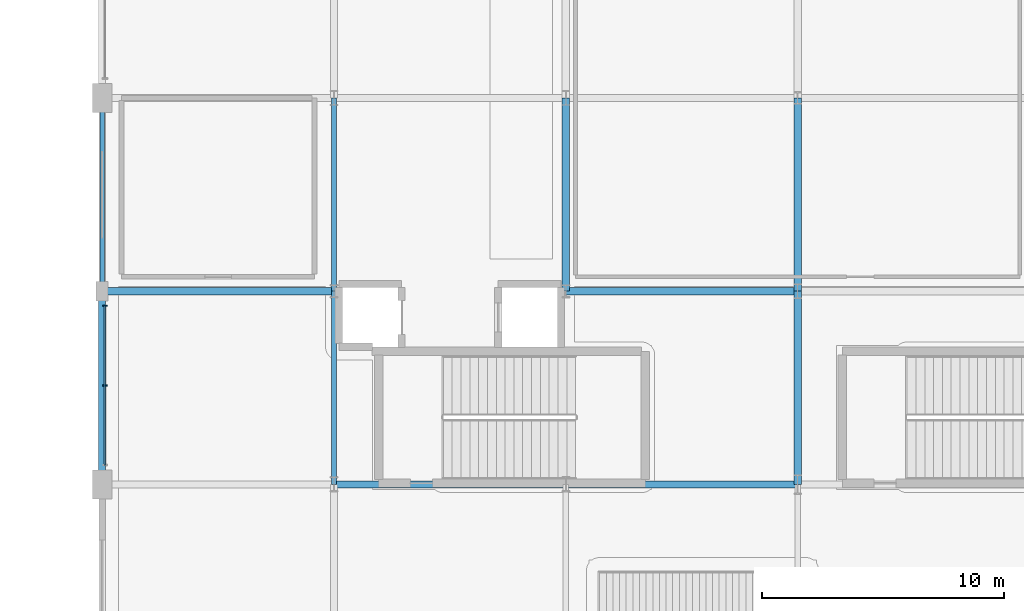
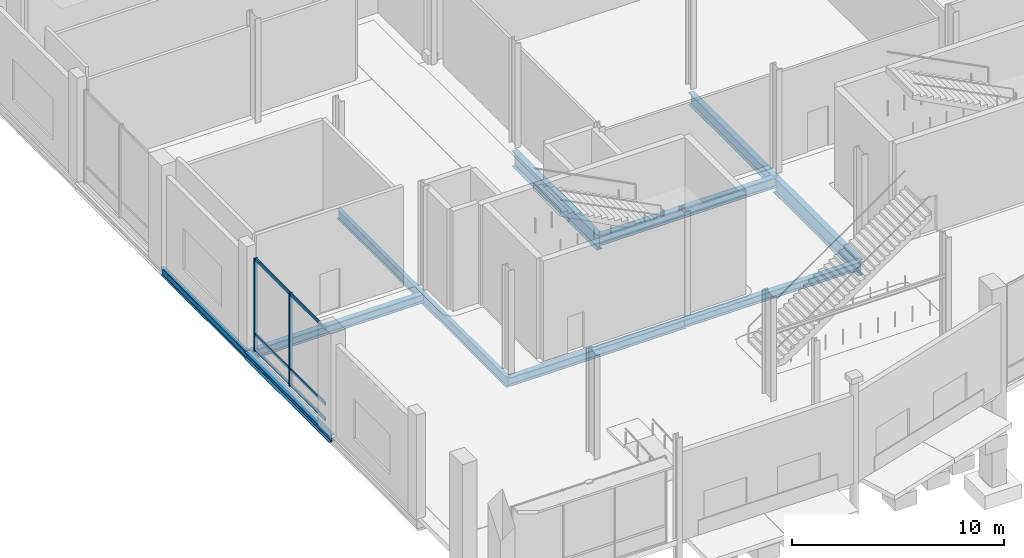
# One storey, part 34 of 124: 11 beams, 5 members, 1 element without a shape of its own.
"""IFC4 building model written with IfcOpenShell, lengths in metres."""

import ifcopenshell
import ifcopenshell.guid

model = None  # the IFC model being written
_history = None  # IfcOwnerHistory: only IFC2X3 demands one
_inside = {}  # id of a spatial element -> (the spatial element, [elements in it])
_under = {}  # id of a project, library or spatial element -> (it, [spatial elements below it])
_declared = {}  # id of a project -> (the project, [libraries it declares])
_typed = {}  # id of a type object -> (the type object, [elements of that type])
_made_of = {}  # id of a material, layer set ... -> (it, [elements and type objects made of it])


def new_model(schema):
    """Start an empty IFC model of exactly this schema.

    Asked for "IFC4X3", IfcOpenShell would pick the latest addendum, in which some entities
    have other attributes; the version numbers below select the first issue.
    IFC2X3 requires an IfcOwnerHistory on every rooted entity: one is made here for all.
    """
    global model, _history
    if schema == "IFC4X3":
        model = ifcopenshell.file(schema_version=(4, 3, 0, 0))
    else:
        model = ifcopenshell.file(schema=schema)
    _inside.clear()
    _under.clear()
    _declared.clear()
    _typed.clear()
    _made_of.clear()
    _history = None
    if model.schema == "IFC2X3":
        org = make("IfcOrganization", Name="unknown")
        user = make(
            "IfcPersonAndOrganization",
            ThePerson=make("IfcPerson", FamilyName="unknown"),
            TheOrganization=org,
        )
        app = make(
            "IfcApplication",
            ApplicationDeveloper=org,
            Version="unknown",
            ApplicationFullName="unknown",
            ApplicationIdentifier="unknown",
        )
        _history = make(
            "IfcOwnerHistory",
            OwningUser=user,
            OwningApplication=app,
            ChangeAction="ADDED",
            CreationDate=0,
        )
    return model


def make(cls, **values):
    """One entity of the class cls with the attributes given. An attribute that is None is left unset."""
    return model.create_entity(
        cls, **{name: value for name, value in values.items() if value is not None}
    )


def rooted(cls, **values):
    """An entity with a GlobalId (a new one), such as an element, a storey or a relation."""
    return make(cls, GlobalId=ifcopenshell.guid.new(), OwnerHistory=_history, **values)


def si_unit(unit_type, name, prefix=None):
    """IfcSIUnit, for example si_unit("LENGTHUNIT", "METRE", prefix="MILLI")."""
    return make("IfcSIUnit", UnitType=unit_type, Prefix=prefix, Name=name)


def assignment(units):
    """IfcUnitAssignment: the units of a project."""
    return None if units is None else make("IfcUnitAssignment", Units=units)


def point(xyz):
    """IfcCartesianPoint."""
    return None if xyz is None else make("IfcCartesianPoint", Coordinates=xyz)


def direction(xyz):
    """IfcDirection."""
    return None if xyz is None else make("IfcDirection", DirectionRatios=xyz)


def frame(location, z_axis=None, x_axis=None):
    """IfcAxis2Placement3D, a coordinate frame: its origin and axes. An axis left out is left unset."""
    return make(
        "IfcAxis2Placement3D",
        Location=point(location),
        Axis=direction(z_axis),
        RefDirection=direction(x_axis),
    )


def frame_2d(location, x_axis=None):
    """IfcAxis2Placement2D, a coordinate frame in the plane: its origin and x axis."""
    return make(
        "IfcAxis2Placement2D", Location=point(location), RefDirection=direction(x_axis)
    )


def origin():
    """The frame at (0, 0, 0) with its axes left unset."""
    return frame((0.0, 0.0, 0.0))


def origin_2d():
    """The frame at (0, 0) in the plane with its x axis left unset."""
    return frame_2d((0.0, 0.0))


def place(relative_to, where):
    """IfcLocalPlacement: puts the frame where relative to a parent placement (None: the world)."""
    return make(
        "IfcLocalPlacement", PlacementRelTo=relative_to, RelativePlacement=where
    )


def context(
    kind, dimensions, precision=None, world=None, true_north=None, identifier=None
):
    """IfcGeometricRepresentationContext, for example the 3D "Model" context."""
    return make(
        "IfcGeometricRepresentationContext",
        ContextIdentifier=identifier,
        ContextType=kind,
        CoordinateSpaceDimension=dimensions,
        Precision=precision,
        WorldCoordinateSystem=world,
        TrueNorth=true_north,
    )


def subcontext(parent, identifier, kind, view, scale=None):
    """IfcGeometricRepresentationSubContext, for example "Body" below "Model"."""
    return make(
        "IfcGeometricRepresentationSubContext",
        ContextIdentifier=identifier,
        ContextType=kind,
        ParentContext=parent,
        TargetScale=scale,
        TargetView=view,
    )


def project(units=None, contexts=None):
    """IfcProject with its units and contexts."""
    return rooted(
        "IfcProject",
        Name="project",
        RepresentationContexts=contexts,
        UnitsInContext=assignment(units),
    )


def spatial(cls, under=None, at=None, **own):
    """A site, building, storey or space (cls), placed at a placement, below another one or the project."""
    s = rooted(cls, ObjectPlacement=at, **own)
    if under is not None:
        _under.setdefault(under.id(), (under, []))[1].append(s)
    return s


def profile(cls, at=None, kind="AREA", **sizes):
    """A parametric profile (cls). Its sizes go by their IFC names, for example OverallWidth=200.0."""
    return make(cls, ProfileType=kind, Position=at, **sizes)


def rectangle(**sizes):
    """IfcRectangleProfileDef."""
    return profile("IfcRectangleProfileDef", **sizes)


def i_section(**sizes):
    """IfcIShapeProfileDef."""
    return profile("IfcIShapeProfileDef", **sizes)


def extrude(swept, where, along, depth):
    """IfcExtrudedAreaSolid: the profile swept, set in the frame where, extruded along a direction by depth."""
    return make(
        "IfcExtrudedAreaSolid",
        SweptArea=swept,
        Position=where,
        ExtrudedDirection=direction(along),
        Depth=depth,
    )


def shape(context_of_items, identifier, shape_type, items):
    """IfcShapeRepresentation: the items that make up one representation, for example the "Body"."""
    return make(
        "IfcShapeRepresentation",
        ContextOfItems=context_of_items,
        RepresentationIdentifier=identifier,
        RepresentationType=shape_type,
        Items=items,
    )


def material(Name=None, Category=None):
    """IfcMaterial."""
    return make("IfcMaterial", Name=Name, Category=Category)


def material_profile(
    of_material, cross_section, Name=None, Category=None, Priority=None
):
    """IfcMaterialProfile: a cross section and its material."""
    return make(
        "IfcMaterialProfile",
        Name=Name,
        Material=of_material,
        Profile=cross_section,
        Priority=Priority,
        Category=Category,
    )


def profile_set(profiles, Name=None, composite=None):
    """IfcMaterialProfileSet."""
    return make(
        "IfcMaterialProfileSet",
        Name=Name,
        MaterialProfiles=profiles,
        CompositeProfile=composite,
    )


def made_of(thing, what):
    """Note that an element or type object is made of a material, layer set ...; save() writes the relation."""
    if what is not None:
        _made_of.setdefault(what.id(), (what, []))[1].append(thing)
    return thing


def type_object(cls, material=None, **own):
    """A type object (cls), such as IfcWallType, which elements share."""
    return made_of(rooted(cls, **own), material)


def element(
    cls,
    number,
    at=None,
    inside=None,
    cuts=None,
    type_object=None,
    material=None,
    context=None,
    identifier="Body",
    shape_type=None,
    held_by="IfcProductDefinitionShape",
    body=None,
    shapes=None,
    **own,
):
    """One element of the class cls, such as IfcWall. Its Tag is "e" and its number.

    at: its placement. inside: the storey or other place that contains it. cuts: it is an
    opening in that element (IfcRelVoidsElement). A single representation is given by context,
    identifier, shape_type and body (its items); several are given by shapes. held_by: the class
    of the entity that holds the representations. save() writes the other relations.
    """
    e = rooted(cls, Tag="e%d" % number, ObjectPlacement=at, **own)
    if body is not None:
        shapes = [shape(context, identifier, shape_type, body)]
    if shapes is not None:
        e.Representation = make(held_by, Representations=shapes)
    if inside is not None:
        _inside.setdefault(inside.id(), (inside, []))[1].append(e)
    if cuts is not None:
        rooted(
            "IfcRelVoidsElement", RelatingBuildingElement=cuts, RelatedOpeningElement=e
        )
    if type_object is not None:
        _typed.setdefault(type_object.id(), (type_object, []))[1].append(e)
    return made_of(e, material)


def aggregate(whole, parts):
    """IfcRelAggregates: a whole, such as a stair, and the parts it consists of."""
    return rooted("IfcRelAggregates", RelatingObject=whole, RelatedObjects=parts)


def save(model, path):
    """Write the relations noted so far, then the file.

    IfcRelAggregates (storeys below a building ...), IfcRelContainedInSpatialStructure (elements
    in a storey), IfcRelDefinesByType, IfcRelAssociatesMaterial and IfcRelDeclares: one each for
    every whole, place, type object, material and project.
    """
    for whole, parts in _under.values():
        aggregate(whole, parts)
    for where, things in _inside.values():
        rooted(
            "IfcRelContainedInSpatialStructure",
            RelatedElements=things,
            RelatingStructure=where,
        )
    for kind, things in _typed.values():
        rooted("IfcRelDefinesByType", RelatedObjects=things, RelatingType=kind)
    for what, things in _made_of.values():
        rooted("IfcRelAssociatesMaterial", RelatedObjects=things, RelatingMaterial=what)
    for by, libraries in _declared.values():
        rooted("IfcRelDeclares", RelatingContext=by, RelatedDefinitions=libraries)
    model.write(path)


model = new_model("IFC4")

# Units and contexts
model_context = context("Model", 3, precision=1e-05, world=origin(), true_north=direction((0.0, 1.0)))
body_context = subcontext(model_context, "Body", "Model", "MODEL_VIEW")
ifc_project = project(units=[si_unit("LENGTHUNIT", "METRE"), si_unit("AREAUNIT", "SQUARE_METRE"), si_unit("VOLUMEUNIT", "CUBIC_METRE"), si_unit("PLANEANGLEUNIT", "RADIAN"), si_unit("MASSUNIT", "GRAM", prefix="KILO")], contexts=[model_context])

# Site, building, storey
site_placement = place(None, origin())
site = spatial("IfcSite", under=ifc_project, at=site_placement, CompositionType="ELEMENT")
building_placement = place(site_placement, origin())
building = spatial("IfcBuilding", under=site, at=building_placement, Name="Danafjord Basin Convention Centre", CompositionType="ELEMENT")
storey_placement = place(building_placement, origin())
storey = spatial("IfcBuildingStorey", under=building, at=storey_placement, Name="L00", CompositionType="ELEMENT", Elevation=0.0)

# Beams
ifc_material_1 = material(Name="Steel S355", Category="steel")
ifc_material_profile_1 = material_profile(ifc_material_1, i_section(OverallWidth=0.300048828125, OverallDepth=0.590087890625, WebThickness=0.012939453125, FlangeThickness=0.02490234375, FilletRadius=0.027099609375, at=origin_2d()), Name="HEA 600")
ifc_profile_set_1 = profile_set([ifc_material_profile_1], Name="Steel S355")
beam_type_1 = type_object("IfcBeamType", Name="BEAM-BM-HEA600", PredefinedType="BEAM", material=ifc_profile_set_1)
beam_1_placement = place(storey_placement, frame((19.199951171875, 24.0, -0.60498046875), z_axis=(1.0, 0.0, 0.0), x_axis=(0.0, 1.0, 0.0)))
element("IfcBeam", 1, at=beam_1_placement, inside=storey, type_object=beam_type_1, Name="L00 girder BM-HEA600", PredefinedType="BEAM", context=body_context, shape_type="SweptSolid", body=[
    extrude(i_section(OverallWidth=0.300048828125, OverallDepth=0.590087890625, WebThickness=0.012939453125, FlangeThickness=0.02490234375, FilletRadius=0.027099609375, at=origin_2d()), origin(), (0.0, 0.0, 1.0), 9.60009765625),
])
ifc_material_profile_2 = material_profile(ifc_material_1, i_section(OverallWidth=0.300048828125, OverallDepth=0.449951171875, WebThickness=0.013916015625, FlangeThickness=0.02587890625, FilletRadius=0.027099609375, at=origin_2d()), Name="HEB 450")
ifc_profile_set_2 = profile_set([ifc_material_profile_2], Name="Steel S355")
beam_type_2 = type_object("IfcBeamType", Name="BEAM-BM-HEB450", PredefinedType="BEAM", material=ifc_profile_set_2)
beam_2_placement = place(storey_placement, frame((19.199951171875, 16.0, -0.534912109375), z_axis=(1.0, 0.0, 0.0), x_axis=(0.0, 1.0, 0.0)))
element("IfcBeam", 2, at=beam_2_placement, inside=storey, type_object=beam_type_2, Name="L00 girder BM-HEB450", PredefinedType="BEAM", context=body_context, shape_type="SweptSolid", body=[
    extrude(i_section(OverallWidth=0.300048828125, OverallDepth=0.449951171875, WebThickness=0.013916015625, FlangeThickness=0.02587890625, FilletRadius=0.027099609375, at=origin_2d()), origin(), (0.0, 0.0, 1.0), 9.60009765625),
])
ifc_material_profile_3 = material_profile(ifc_material_1, i_section(OverallWidth=0.300048828125, OverallDepth=0.5, WebThickness=0.014404296875, FlangeThickness=0.028076171875, FilletRadius=0.027099609375, at=origin_2d()), Name="HEB 500")
ifc_profile_set_3 = profile_set([ifc_material_profile_3], Name="Steel S355")
beam_type_3 = type_object("IfcBeamType", Name="BEAM-BM-HEB500", PredefinedType="BEAM", material=ifc_profile_set_3)
beam_3_placement = place(storey_placement, frame((0.0, 24.0, -0.56005859375), z_axis=(1.0, 0.0, 0.0), x_axis=(0.0, 1.0, 0.0)))
element("IfcBeam", 3, at=beam_3_placement, inside=storey, type_object=beam_type_3, Name="L00 girder BM-HEB500", PredefinedType="BEAM", context=body_context, shape_type="SweptSolid", body=[
    extrude(i_section(OverallWidth=0.300048828125, OverallDepth=0.5, WebThickness=0.014404296875, FlangeThickness=0.028076171875, FilletRadius=0.027099609375, at=origin_2d()), origin(), (0.0, 0.0, 1.0), 9.60009765625),
])
beam_4_placement = place(storey_placement, frame((9.60009765625, 16.0, -0.56005859375), z_axis=(1.0, 0.0, 0.0), x_axis=(0.0, 1.0, 0.0)))
element("IfcBeam", 4, at=beam_4_placement, inside=storey, type_object=beam_type_3, Name="L00 girder BM-HEB500", PredefinedType="BEAM", context=body_context, shape_type="SweptSolid", body=[
    extrude(i_section(OverallWidth=0.300048828125, OverallDepth=0.5, WebThickness=0.014404296875, FlangeThickness=0.028076171875, FilletRadius=0.027099609375, at=origin_2d()), origin(), (0.0, 0.0, 1.0), 9.599853515625),
])
ifc_material_profile_4 = material_profile(ifc_material_1, i_section(OverallWidth=0.300048828125, OverallDepth=0.699951171875, WebThickness=0.01708984375, FlangeThickness=0.031982421875, FilletRadius=0.027099609375, at=origin_2d()), Name="HEB 700")
ifc_profile_set_4 = profile_set([ifc_material_profile_4], Name="Steel S355")
beam_type_4 = type_object("IfcBeamType", Name="BEAM-BM-HEB700", PredefinedType="BEAM", material=ifc_profile_set_4)
beam_5_placement = place(storey_placement, frame((28.800048828125, 24.0, -0.659912109375), z_axis=(0.0, 1.0, 0.0), x_axis=(-1.0, 0.0, 0.0)))
element("IfcBeam", 5, at=beam_5_placement, inside=storey, type_object=beam_type_4, Name="L00 transverse girder BM-HEB700", PredefinedType="BEAM", context=body_context, shape_type="SweptSolid", body=[
    extrude(i_section(OverallWidth=0.300048828125, OverallDepth=0.699951171875, WebThickness=0.01708984375, FlangeThickness=0.031982421875, FilletRadius=0.027099609375, at=origin_2d()), origin(), (0.0, 0.0, 1.0), 8.0),
])
ifc_material_profile_5 = material_profile(ifc_material_1, i_section(OverallWidth=0.300048828125, OverallDepth=0.89990234375, WebThickness=0.0185546875, FlangeThickness=0.034912109375, FilletRadius=0.030029296875, at=origin_2d()), Name="HEB 900")
ifc_profile_set_5 = profile_set([ifc_material_profile_5], Name="Steel S355")
beam_type_5 = type_object("IfcBeamType", Name="BEAM-BM-HEB900", PredefinedType="BEAM", material=ifc_profile_set_5)
for number, where, z_axis, x_axis, name in (
    (6, (19.199951171875, 24.0, -0.760009765625), (0.0, 1.0, 0.0), (-1.0, 0.0, 0.0), "L00 transverse girder BM-HEB900"),
    (7, (28.800048828125, 16.0, -0.760009765625), (0.0, 1.0, 0.0), (-1.0, 0.0, 0.0), "L00 transverse girder BM-HEB900"),
):
    element("IfcBeam", number, at=place(storey_placement, frame(where, z_axis=z_axis, x_axis=x_axis)), inside=storey, type_object=beam_type_5, Name=name, PredefinedType="BEAM", context=body_context, shape_type="SweptSolid", body=[
        extrude(i_section(OverallWidth=0.300048828125, OverallDepth=0.89990234375, WebThickness=0.0185546875, FlangeThickness=0.034912109375, FilletRadius=0.030029296875, at=origin_2d()), origin(), (0.0, 0.0, 1.0), 8.0),
    ])
ifc_material_profile_6 = material_profile(ifc_material_1, i_section(OverallWidth=0.2099609375, OverallDepth=0.550048828125, WebThickness=0.010986328125, FlangeThickness=0.01708984375, FilletRadius=0.02392578125, at=origin_2d()), Name="IPE 550")
ifc_profile_set_6 = profile_set([ifc_material_profile_6], Name="Steel S355")
beam_type_6 = type_object("IfcBeamType", Name="BEAM-BM-IPE550", PredefinedType="BEAM", material=ifc_profile_set_6)
beam_6_placement = place(storey_placement, frame((9.60009765625, 24.0, -0.5849609375), z_axis=(0.0, 1.0, 0.0), x_axis=(-1.0, 0.0, 0.0)))
element("IfcBeam", 8, at=beam_6_placement, inside=storey, type_object=beam_type_6, Name="L00 transverse girder BM-IPE550", PredefinedType="BEAM", context=body_context, shape_type="SweptSolid", body=[
    extrude(i_section(OverallWidth=0.2099609375, OverallDepth=0.550048828125, WebThickness=0.010986328125, FlangeThickness=0.01708984375, FilletRadius=0.02392578125, at=origin_2d()), origin(), (0.0, 0.0, 1.0), 8.0),
])
ifc_material_profile_7 = material_profile(ifc_material_1, i_section(OverallWidth=0.219970703125, OverallDepth=0.60009765625, WebThickness=0.011962890625, FlangeThickness=0.01904296875, FilletRadius=0.02392578125, at=origin_2d()), Name="IPE 600")
ifc_profile_set_7 = profile_set([ifc_material_profile_7], Name="Steel S355")
beam_type_7 = type_object("IfcBeamType", Name="BEAM-BM-IPE600", PredefinedType="BEAM", material=ifc_profile_set_7)
beam_7_placement = place(storey_placement, frame((9.60009765625, 16.0, -0.610107421875), z_axis=(0.0, 1.0, 0.0), x_axis=(-1.0, 0.0, 0.0)))
element("IfcBeam", 9, at=beam_7_placement, inside=storey, type_object=beam_type_7, Name="L00 transverse girder BM-IPE600", PredefinedType="BEAM", context=body_context, shape_type="SweptSolid", body=[
    extrude(i_section(OverallWidth=0.219970703125, OverallDepth=0.60009765625, WebThickness=0.011962890625, FlangeThickness=0.01904296875, FilletRadius=0.02392578125, at=origin_2d()), origin(), (0.0, 0.0, 1.0), 8.0),
])
ifc_material_profile_8 = material_profile(ifc_material_1, i_section(OverallWidth=0.300048828125, OverallDepth=0.39990234375, WebThickness=0.013427734375, FlangeThickness=0.02392578125, FilletRadius=0.027099609375, at=origin_2d()), Name="HEB 400")
ifc_profile_set_8 = profile_set([ifc_material_profile_8], Name="Steel S355")
beam_type_8 = type_object("IfcBeamType", Name="BEAM-SP-HEB400", PredefinedType="SPANDREL", material=ifc_profile_set_8)
beam_8_placement = place(storey_placement, frame((0.0, 16.0, -0.510009765625), z_axis=(0.0, 1.0, 0.0), x_axis=(-1.0, 0.0, 0.0)))
element("IfcBeam", 10, at=beam_8_placement, inside=storey, type_object=beam_type_8, Name="L00 transverse girder SP-HEB400", PredefinedType="SPANDREL", context=body_context, shape_type="SweptSolid", body=[
    extrude(i_section(OverallWidth=0.300048828125, OverallDepth=0.39990234375, WebThickness=0.013427734375, FlangeThickness=0.02392578125, FilletRadius=0.027099609375, at=origin_2d()), origin(), (0.0, 0.0, 1.0), 8.0),
])
ifc_material_profile_9 = material_profile(ifc_material_1, i_section(OverallWidth=0.18994140625, OverallDepth=0.449951171875, WebThickness=0.009521484375, FlangeThickness=0.0146484375, FilletRadius=0.02099609375, at=origin_2d()), Name="IPE 450")
ifc_profile_set_9 = profile_set([ifc_material_profile_9], Name="Steel S355")
beam_type_9 = type_object("IfcBeamType", Name="BEAM-SP-IPE450", PredefinedType="SPANDREL", material=ifc_profile_set_9)
beam_9_placement = place(storey_placement, frame((0.0, 24.0, -0.534912109375), z_axis=(0.0, 1.0, 0.0), x_axis=(-1.0, 0.0, 0.0)))
element("IfcBeam", 11, at=beam_9_placement, inside=storey, type_object=beam_type_9, Name="L00 transverse girder SP-IPE450", PredefinedType="SPANDREL", context=body_context, shape_type="SweptSolid", body=[
    extrude(i_section(OverallWidth=0.18994140625, OverallDepth=0.449951171875, WebThickness=0.009521484375, FlangeThickness=0.0146484375, FilletRadius=0.02099609375, at=origin_2d()), origin(), (0.0, 0.0, 1.0), 8.0),
])

# Curtain wall, members
ifc_material_2 = material(Name="Anodised aluminium and triple glazing", Category="aluminium")
curtain_wall_type = type_object("IfcCurtainWallType", Name="CW-CW-TERR", PredefinedType="NOTDEFINED", material=ifc_material_2)
curtain_wall_placement = place(storey_placement, origin())
curtain_wall = element("IfcCurtainWall", 12, at=curtain_wall_placement, inside=storey, type_object=curtain_wall_type, Name="L00 CW-TERR unitised curtain wall bay 41", PredefinedType="NOTDEFINED")
ifc_material_3 = material(Name="Anodised aluminium EN AW-6060", Category="aluminium")
ifc_material_profile_10 = material_profile(ifc_material_3, rectangle(XDim=0.06005859375, YDim=0.179931640625, at=origin_2d()), Name="MULL 60x180")
ifc_profile_set_10 = profile_set([ifc_material_profile_10], Name="Anodised aluminium EN AW-6060")
member_type_1 = type_object("IfcMemberType", Name="MEM-ML-180", PredefinedType="MULLION", material=ifc_profile_set_10)
member_1_placement = place(storey_placement, frame((0.1201171875, 23.39990234375, -0.02490234375), z_axis=(0.0, 0.0, 1.0), x_axis=(0.0, -1.0, 0.0)))
member_1 = element("IfcMember", 13, at=member_1_placement, type_object=member_type_1, Name="CW-L00-041 mullion 1", PredefinedType="MULLION", context=body_context, shape_type="SweptSolid", body=[
    extrude(rectangle(XDim=0.06005859375, YDim=0.179931640625, at=origin_2d()), origin(), (0.0, 0.0, 1.0), 5.385009765625),
])
member_2_placement = place(storey_placement, frame((0.1201171875, 20.10009765625, -0.02490234375), z_axis=(0.0, 0.0, 1.0), x_axis=(0.0, -1.0, 0.0)))
member_2 = element("IfcMember", 14, at=member_2_placement, type_object=member_type_1, Name="CW-L00-041 mullion 2", PredefinedType="MULLION", context=body_context, shape_type="SweptSolid", body=[
    extrude(rectangle(XDim=0.06005859375, YDim=0.179931640625, at=origin_2d()), origin(), (0.0, 0.0, 1.0), 5.385009765625),
])
ifc_material_profile_11 = material_profile(ifc_material_3, rectangle(XDim=0.06494140625, YDim=0.18994140625, at=origin_2d()), Name="TRAN 65x190")
ifc_profile_set_11 = profile_set([ifc_material_profile_11], Name="Anodised aluminium EN AW-6060")
member_type_2 = type_object("IfcMemberType", Name="MEM-TR-190", PredefinedType="USERDEFINED", material=ifc_profile_set_11)
member_3_placement = place(storey_placement, frame((0.1201171875, 23.39990234375, 0.06005859375), z_axis=(0.0, -1.0, 0.0), x_axis=(1.0, 0.0, 0.0)))
member_3 = element("IfcMember", 15, at=member_3_placement, type_object=member_type_2, Name="CW-L00-041 transom 1", ObjectType="TRANSOM", PredefinedType="USERDEFINED", context=body_context, shape_type="SweptSolid", body=[
    extrude(rectangle(XDim=0.06494140625, YDim=0.18994140625, at=origin_2d()), origin(), (0.0, 0.0, 1.0), 6.599853515625),
])
member_4_placement = place(storey_placement, frame((0.1201171875, 23.39990234375, 0.949951171875), z_axis=(0.0, -1.0, 0.0), x_axis=(1.0, 0.0, 0.0)))
member_4 = element("IfcMember", 16, at=member_4_placement, type_object=member_type_2, Name="CW-L00-041 transom 2", ObjectType="TRANSOM", PredefinedType="USERDEFINED", context=body_context, shape_type="SweptSolid", body=[
    extrude(rectangle(XDim=0.06494140625, YDim=0.18994140625, at=origin_2d()), origin(), (0.0, 0.0, 1.0), 6.599853515625),
])
member_5_placement = place(storey_placement, frame((0.1201171875, 23.39990234375, 5.2900390625), z_axis=(0.0, -1.0, 0.0), x_axis=(1.0, 0.0, 0.0)))
member_5 = element("IfcMember", 17, at=member_5_placement, type_object=member_type_2, Name="CW-L00-041 transom 3", ObjectType="TRANSOM", PredefinedType="USERDEFINED", context=body_context, shape_type="SweptSolid", body=[
    extrude(rectangle(XDim=0.06494140625, YDim=0.18994140625, at=origin_2d()), origin(), (0.0, 0.0, 1.0), 6.599853515625),
])
aggregate(curtain_wall, [member_1, member_2, member_3, member_4, member_5])

save(model, "model.ifc")
